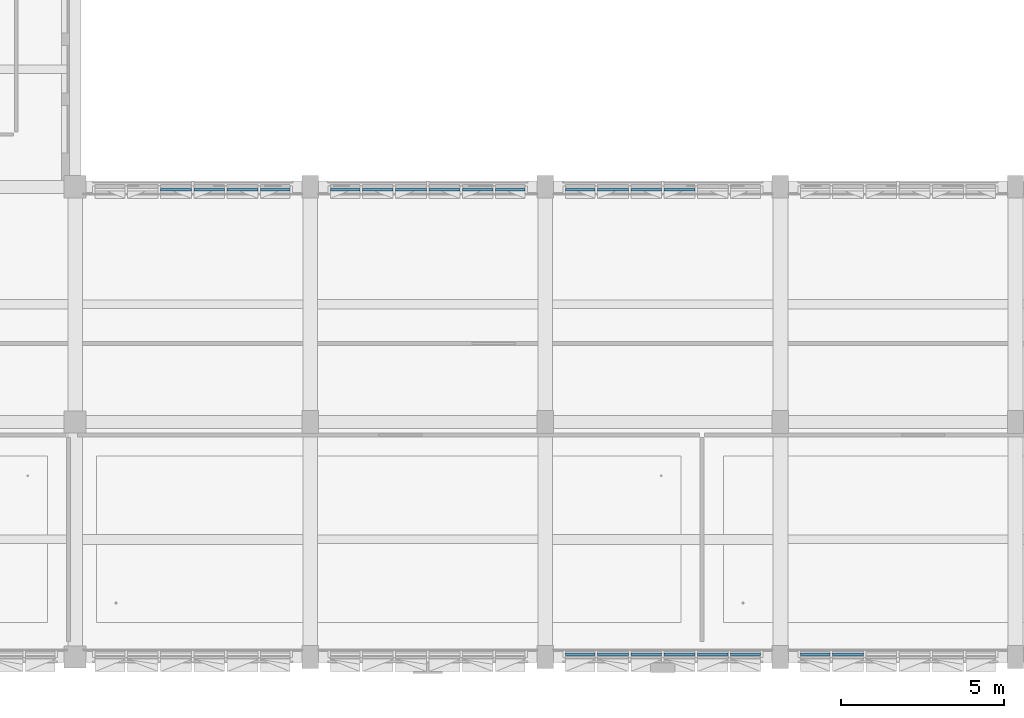
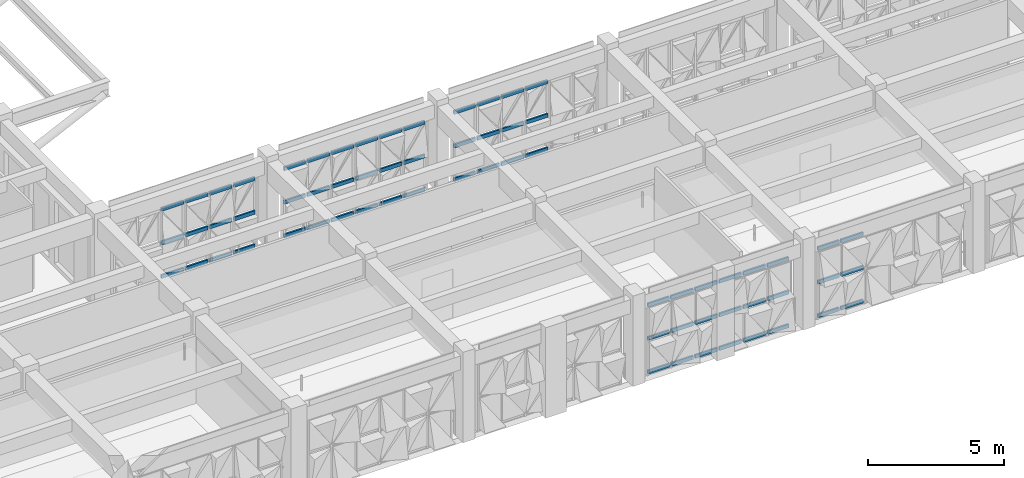
# One storey, part 21 of 88: 66 members, 5 elements without a shape of their own.
"""IFC4 building model written with IfcOpenShell, lengths in metres."""

import ifcopenshell
import ifcopenshell.guid

model = None  # the IFC model being written
_history = None  # IfcOwnerHistory: only IFC2X3 demands one
_inside = {}  # id of a spatial element -> (the spatial element, [elements in it])
_under = {}  # id of a project, library or spatial element -> (it, [spatial elements below it])
_declared = {}  # id of a project -> (the project, [libraries it declares])
_typed = {}  # id of a type object -> (the type object, [elements of that type])
_made_of = {}  # id of a material, layer set ... -> (it, [elements and type objects made of it])


def new_model(schema):
    """Start an empty IFC model of exactly this schema.

    Asked for "IFC4X3", IfcOpenShell would pick the latest addendum, in which some entities
    have other attributes; the version numbers below select the first issue.
    IFC2X3 requires an IfcOwnerHistory on every rooted entity: one is made here for all.
    """
    global model, _history
    if schema == "IFC4X3":
        model = ifcopenshell.file(schema_version=(4, 3, 0, 0))
    else:
        model = ifcopenshell.file(schema=schema)
    _inside.clear()
    _under.clear()
    _declared.clear()
    _typed.clear()
    _made_of.clear()
    _history = None
    if model.schema == "IFC2X3":
        org = make("IfcOrganization", Name="unknown")
        user = make(
            "IfcPersonAndOrganization",
            ThePerson=make("IfcPerson", FamilyName="unknown"),
            TheOrganization=org,
        )
        app = make(
            "IfcApplication",
            ApplicationDeveloper=org,
            Version="unknown",
            ApplicationFullName="unknown",
            ApplicationIdentifier="unknown",
        )
        _history = make(
            "IfcOwnerHistory",
            OwningUser=user,
            OwningApplication=app,
            ChangeAction="ADDED",
            CreationDate=0,
        )
    return model


def make(cls, **values):
    """One entity of the class cls with the attributes given. An attribute that is None is left unset."""
    return model.create_entity(
        cls, **{name: value for name, value in values.items() if value is not None}
    )


def rooted(cls, **values):
    """An entity with a GlobalId (a new one), such as an element, a storey or a relation."""
    return make(cls, GlobalId=ifcopenshell.guid.new(), OwnerHistory=_history, **values)


def si_unit(unit_type, name, prefix=None):
    """IfcSIUnit, for example si_unit("LENGTHUNIT", "METRE", prefix="MILLI")."""
    return make("IfcSIUnit", UnitType=unit_type, Prefix=prefix, Name=name)


def assignment(units):
    """IfcUnitAssignment: the units of a project."""
    return None if units is None else make("IfcUnitAssignment", Units=units)


def point(xyz):
    """IfcCartesianPoint."""
    return None if xyz is None else make("IfcCartesianPoint", Coordinates=xyz)


def direction(xyz):
    """IfcDirection."""
    return None if xyz is None else make("IfcDirection", DirectionRatios=xyz)


def frame(location, z_axis=None, x_axis=None):
    """IfcAxis2Placement3D, a coordinate frame: its origin and axes. An axis left out is left unset."""
    return make(
        "IfcAxis2Placement3D",
        Location=point(location),
        Axis=direction(z_axis),
        RefDirection=direction(x_axis),
    )


def frame_2d(location, x_axis=None):
    """IfcAxis2Placement2D, a coordinate frame in the plane: its origin and x axis."""
    return make(
        "IfcAxis2Placement2D", Location=point(location), RefDirection=direction(x_axis)
    )


def origin():
    """The frame at (0, 0, 0) with its axes left unset."""
    return frame((0.0, 0.0, 0.0))


def origin_2d():
    """The frame at (0, 0) in the plane with its x axis left unset."""
    return frame_2d((0.0, 0.0))


def place(relative_to, where):
    """IfcLocalPlacement: puts the frame where relative to a parent placement (None: the world)."""
    return make(
        "IfcLocalPlacement", PlacementRelTo=relative_to, RelativePlacement=where
    )


def context(
    kind, dimensions, precision=None, world=None, true_north=None, identifier=None
):
    """IfcGeometricRepresentationContext, for example the 3D "Model" context."""
    return make(
        "IfcGeometricRepresentationContext",
        ContextIdentifier=identifier,
        ContextType=kind,
        CoordinateSpaceDimension=dimensions,
        Precision=precision,
        WorldCoordinateSystem=world,
        TrueNorth=true_north,
    )


def subcontext(parent, identifier, kind, view, scale=None):
    """IfcGeometricRepresentationSubContext, for example "Body" below "Model"."""
    return make(
        "IfcGeometricRepresentationSubContext",
        ContextIdentifier=identifier,
        ContextType=kind,
        ParentContext=parent,
        TargetScale=scale,
        TargetView=view,
    )


def project(units=None, contexts=None):
    """IfcProject with its units and contexts."""
    return rooted(
        "IfcProject",
        Name="project",
        RepresentationContexts=contexts,
        UnitsInContext=assignment(units),
    )


def spatial(cls, under=None, at=None, **own):
    """A site, building, storey or space (cls), placed at a placement, below another one or the project."""
    s = rooted(cls, ObjectPlacement=at, **own)
    if under is not None:
        _under.setdefault(under.id(), (under, []))[1].append(s)
    return s


def profile(cls, at=None, kind="AREA", **sizes):
    """A parametric profile (cls). Its sizes go by their IFC names, for example OverallWidth=200.0."""
    return make(cls, ProfileType=kind, Position=at, **sizes)


def rectangle(**sizes):
    """IfcRectangleProfileDef."""
    return profile("IfcRectangleProfileDef", **sizes)


def extrude(swept, where, along, depth):
    """IfcExtrudedAreaSolid: the profile swept, set in the frame where, extruded along a direction by depth."""
    return make(
        "IfcExtrudedAreaSolid",
        SweptArea=swept,
        Position=where,
        ExtrudedDirection=direction(along),
        Depth=depth,
    )


def shape(context_of_items, identifier, shape_type, items):
    """IfcShapeRepresentation: the items that make up one representation, for example the "Body"."""
    return make(
        "IfcShapeRepresentation",
        ContextOfItems=context_of_items,
        RepresentationIdentifier=identifier,
        RepresentationType=shape_type,
        Items=items,
    )


def material(Name=None, Category=None):
    """IfcMaterial."""
    return make("IfcMaterial", Name=Name, Category=Category)


def material_profile(
    of_material, cross_section, Name=None, Category=None, Priority=None
):
    """IfcMaterialProfile: a cross section and its material."""
    return make(
        "IfcMaterialProfile",
        Name=Name,
        Material=of_material,
        Profile=cross_section,
        Priority=Priority,
        Category=Category,
    )


def profile_set(profiles, Name=None, composite=None):
    """IfcMaterialProfileSet."""
    return make(
        "IfcMaterialProfileSet",
        Name=Name,
        MaterialProfiles=profiles,
        CompositeProfile=composite,
    )


def made_of(thing, what):
    """Note that an element or type object is made of a material, layer set ...; save() writes the relation."""
    if what is not None:
        _made_of.setdefault(what.id(), (what, []))[1].append(thing)
    return thing


def type_object(cls, material=None, **own):
    """A type object (cls), such as IfcWallType, which elements share."""
    return made_of(rooted(cls, **own), material)


def element(
    cls,
    number,
    at=None,
    inside=None,
    cuts=None,
    type_object=None,
    material=None,
    context=None,
    identifier="Body",
    shape_type=None,
    held_by="IfcProductDefinitionShape",
    body=None,
    shapes=None,
    **own,
):
    """One element of the class cls, such as IfcWall. Its Tag is "e" and its number.

    at: its placement. inside: the storey or other place that contains it. cuts: it is an
    opening in that element (IfcRelVoidsElement). A single representation is given by context,
    identifier, shape_type and body (its items); several are given by shapes. held_by: the class
    of the entity that holds the representations. save() writes the other relations.
    """
    e = rooted(cls, Tag="e%d" % number, ObjectPlacement=at, **own)
    if body is not None:
        shapes = [shape(context, identifier, shape_type, body)]
    if shapes is not None:
        e.Representation = make(held_by, Representations=shapes)
    if inside is not None:
        _inside.setdefault(inside.id(), (inside, []))[1].append(e)
    if cuts is not None:
        rooted(
            "IfcRelVoidsElement", RelatingBuildingElement=cuts, RelatedOpeningElement=e
        )
    if type_object is not None:
        _typed.setdefault(type_object.id(), (type_object, []))[1].append(e)
    return made_of(e, material)


def aggregate(whole, parts):
    """IfcRelAggregates: a whole, such as a stair, and the parts it consists of."""
    return rooted("IfcRelAggregates", RelatingObject=whole, RelatedObjects=parts)


def save(model, path):
    """Write the relations noted so far, then the file.

    IfcRelAggregates (storeys below a building ...), IfcRelContainedInSpatialStructure (elements
    in a storey), IfcRelDefinesByType, IfcRelAssociatesMaterial and IfcRelDeclares: one each for
    every whole, place, type object, material and project.
    """
    for whole, parts in _under.values():
        aggregate(whole, parts)
    for where, things in _inside.values():
        rooted(
            "IfcRelContainedInSpatialStructure",
            RelatedElements=things,
            RelatingStructure=where,
        )
    for kind, things in _typed.values():
        rooted("IfcRelDefinesByType", RelatedObjects=things, RelatingType=kind)
    for what, things in _made_of.values():
        rooted("IfcRelAssociatesMaterial", RelatedObjects=things, RelatingMaterial=what)
    for by, libraries in _declared.values():
        rooted("IfcRelDeclares", RelatingContext=by, RelatedDefinitions=libraries)
    model.write(path)


model = new_model("IFC4")

# Units and contexts
model_context = context("Model", 3, precision=1e-05, world=origin(), true_north=direction((0.0, 1.0)))
body_context = subcontext(model_context, "Body", "Model", "MODEL_VIEW")
ifc_project = project(units=[si_unit("LENGTHUNIT", "METRE"), si_unit("AREAUNIT", "SQUARE_METRE"), si_unit("VOLUMEUNIT", "CUBIC_METRE"), si_unit("PLANEANGLEUNIT", "RADIAN"), si_unit("MASSUNIT", "GRAM", prefix="KILO")], contexts=[model_context])

# Site, building, storey
site_placement = place(None, origin())
site = spatial("IfcSite", under=ifc_project, at=site_placement, CompositionType="ELEMENT")
building_placement = place(site_placement, origin())
building = spatial("IfcBuilding", under=site, at=building_placement, Name="Alvorim Cloister Faculty of Sciences", CompositionType="ELEMENT")
storey_placement = place(building_placement, frame((0.0, 0.0, 4.5)))
storey = spatial("IfcBuildingStorey", under=building, at=storey_placement, Name="L01", CompositionType="ELEMENT", Elevation=4.5)

# Curtain wall, members
ifc_material_1 = material(Name="Aluminium and Low-E Glass Curtain Wall", Category="aluminium")
curtain_wall_type = type_object("IfcCurtainWallType", Name="CW-TRI-6120x3170", PredefinedType="USERDEFINED", material=ifc_material_1)
curtain_wall_1_placement = place(storey_placement, origin())
curtain_wall_1 = element("IfcCurtainWall", 1, at=curtain_wall_1_placement, inside=storey, type_object=curtain_wall_type, Name="L01 Diagonal Cassette Curtain Wall CW-0027", ObjectType="UNITISED CURTAIN WALL", PredefinedType="USERDEFINED")
ifc_material_2 = material(Name="Aluminium Alloy 6063-T6", Category="aluminium")
ifc_material_profile = material_profile(ifc_material_2, rectangle(XDim=0.074951171875, YDim=0.159912109375, at=origin_2d()), Name="ALU-TRN-75x160")
ifc_profile_set = profile_set([ifc_material_profile], Name="Aluminium Alloy 6063-T6")
member_type = type_object("IfcMemberType", Name="CW-TRN-75x160", PredefinedType="USERDEFINED", material=ifc_profile_set)
member_1_placement = place(storey_placement, frame((31.41748046875, 14.31005859375, 0.080078125), z_axis=(1.0, 0.0, 0.0), x_axis=(0.0, 1.0, 0.0)))
member_1 = element("IfcMember", 2, at=member_1_placement, type_object=member_type, Name="CW-0027 Transom 3.1", ObjectType="TRANSOM", PredefinedType="USERDEFINED", context=body_context, shape_type="SweptSolid", body=[
    extrude(rectangle(XDim=0.074951171875, YDim=0.159912109375, at=origin_2d()), origin(), (0.0, 0.0, 1.0), 0.945068359375),
])
member_2_placement = place(storey_placement, frame((31.41748046875, 14.31005859375, 1.5849609375), z_axis=(1.0, 0.0, 0.0), x_axis=(0.0, 1.0, 0.0)))
member_2 = element("IfcMember", 3, at=member_2_placement, type_object=member_type, Name="CW-0027 Transom 3.2", ObjectType="TRANSOM", PredefinedType="USERDEFINED", context=body_context, shape_type="SweptSolid", body=[
    extrude(rectangle(XDim=0.074951171875, YDim=0.159912109375, at=origin_2d()), origin(), (0.0, 0.0, 1.0), 0.945068359375),
])
member_3_placement = place(storey_placement, frame((31.41748046875, 14.31005859375, 3.090087890625), z_axis=(1.0, 0.0, 0.0), x_axis=(0.0, 1.0, 0.0)))
member_3 = element("IfcMember", 4, at=member_3_placement, type_object=member_type, Name="CW-0027 Transom 3.3", ObjectType="TRANSOM", PredefinedType="USERDEFINED", context=body_context, shape_type="SweptSolid", body=[
    extrude(rectangle(XDim=0.074951171875, YDim=0.159912109375, at=origin_2d()), origin(), (0.0, 0.0, 1.0), 0.945068359375),
])
member_4_placement = place(storey_placement, frame((32.4375, 14.31005859375, 0.080078125), z_axis=(1.0, 0.0, 0.0), x_axis=(0.0, 1.0, 0.0)))
member_4 = element("IfcMember", 5, at=member_4_placement, type_object=member_type, Name="CW-0027 Transom 4.1", ObjectType="TRANSOM", PredefinedType="USERDEFINED", context=body_context, shape_type="SweptSolid", body=[
    extrude(rectangle(XDim=0.074951171875, YDim=0.159912109375, at=origin_2d()), origin(), (0.0, 0.0, 1.0), 0.945068359375),
])
member_5_placement = place(storey_placement, frame((32.4375, 14.31005859375, 1.5849609375), z_axis=(1.0, 0.0, 0.0), x_axis=(0.0, 1.0, 0.0)))
member_5 = element("IfcMember", 6, at=member_5_placement, type_object=member_type, Name="CW-0027 Transom 4.2", ObjectType="TRANSOM", PredefinedType="USERDEFINED", context=body_context, shape_type="SweptSolid", body=[
    extrude(rectangle(XDim=0.074951171875, YDim=0.159912109375, at=origin_2d()), origin(), (0.0, 0.0, 1.0), 0.945068359375),
])
member_6_placement = place(storey_placement, frame((32.4375, 14.31005859375, 3.090087890625), z_axis=(1.0, 0.0, 0.0), x_axis=(0.0, 1.0, 0.0)))
member_6 = element("IfcMember", 7, at=member_6_placement, type_object=member_type, Name="CW-0027 Transom 4.3", ObjectType="TRANSOM", PredefinedType="USERDEFINED", context=body_context, shape_type="SweptSolid", body=[
    extrude(rectangle(XDim=0.074951171875, YDim=0.159912109375, at=origin_2d()), origin(), (0.0, 0.0, 1.0), 0.945068359375),
])
member_7_placement = place(storey_placement, frame((33.45751953125, 14.31005859375, 0.080078125), z_axis=(1.0, 0.0, 0.0), x_axis=(0.0, 1.0, 0.0)))
member_7 = element("IfcMember", 8, at=member_7_placement, type_object=member_type, Name="CW-0027 Transom 5.1", ObjectType="TRANSOM", PredefinedType="USERDEFINED", context=body_context, shape_type="SweptSolid", body=[
    extrude(rectangle(XDim=0.074951171875, YDim=0.159912109375, at=origin_2d()), origin(), (0.0, 0.0, 1.0), 0.945068359375),
])
member_8_placement = place(storey_placement, frame((33.45751953125, 14.31005859375, 1.5849609375), z_axis=(1.0, 0.0, 0.0), x_axis=(0.0, 1.0, 0.0)))
member_8 = element("IfcMember", 9, at=member_8_placement, type_object=member_type, Name="CW-0027 Transom 5.2", ObjectType="TRANSOM", PredefinedType="USERDEFINED", context=body_context, shape_type="SweptSolid", body=[
    extrude(rectangle(XDim=0.074951171875, YDim=0.159912109375, at=origin_2d()), origin(), (0.0, 0.0, 1.0), 0.945068359375),
])
member_9_placement = place(storey_placement, frame((33.45751953125, 14.31005859375, 3.090087890625), z_axis=(1.0, 0.0, 0.0), x_axis=(0.0, 1.0, 0.0)))
member_9 = element("IfcMember", 10, at=member_9_placement, type_object=member_type, Name="CW-0027 Transom 5.3", ObjectType="TRANSOM", PredefinedType="USERDEFINED", context=body_context, shape_type="SweptSolid", body=[
    extrude(rectangle(XDim=0.074951171875, YDim=0.159912109375, at=origin_2d()), origin(), (0.0, 0.0, 1.0), 0.945068359375),
])
member_10_placement = place(storey_placement, frame((34.4775390625, 14.31005859375, 0.080078125), z_axis=(1.0, 0.0, 0.0), x_axis=(0.0, 1.0, 0.0)))
member_10 = element("IfcMember", 11, at=member_10_placement, type_object=member_type, Name="CW-0027 Transom 6.1", ObjectType="TRANSOM", PredefinedType="USERDEFINED", context=body_context, shape_type="SweptSolid", body=[
    extrude(rectangle(XDim=0.074951171875, YDim=0.159912109375, at=origin_2d()), origin(), (0.0, 0.0, 1.0), 0.907470703125),
])
member_11_placement = place(storey_placement, frame((34.4775390625, 14.31005859375, 1.5849609375), z_axis=(1.0, 0.0, 0.0), x_axis=(0.0, 1.0, 0.0)))
member_11 = element("IfcMember", 12, at=member_11_placement, type_object=member_type, Name="CW-0027 Transom 6.2", ObjectType="TRANSOM", PredefinedType="USERDEFINED", context=body_context, shape_type="SweptSolid", body=[
    extrude(rectangle(XDim=0.074951171875, YDim=0.159912109375, at=origin_2d()), origin(), (0.0, 0.0, 1.0), 0.907470703125),
])
member_12_placement = place(storey_placement, frame((34.4775390625, 14.31005859375, 3.090087890625), z_axis=(1.0, 0.0, 0.0), x_axis=(0.0, 1.0, 0.0)))
member_12 = element("IfcMember", 13, at=member_12_placement, type_object=member_type, Name="CW-0027 Transom 6.3", ObjectType="TRANSOM", PredefinedType="USERDEFINED", context=body_context, shape_type="SweptSolid", body=[
    extrude(rectangle(XDim=0.074951171875, YDim=0.159912109375, at=origin_2d()), origin(), (0.0, 0.0, 1.0), 0.907470703125),
])
aggregate(curtain_wall_1, [member_1, member_2, member_3, member_4, member_5, member_6, member_7, member_8, member_9, member_10, member_11, member_12])

curtain_wall_2_placement = place(storey_placement, origin())
curtain_wall_2 = element("IfcCurtainWall", 14, at=curtain_wall_2_placement, inside=storey, type_object=curtain_wall_type, Name="L01 Diagonal Cassette Curtain Wall CW-0028", ObjectType="UNITISED CURTAIN WALL", PredefinedType="USERDEFINED")
member_13_placement = place(storey_placement, frame((36.614990234375, 14.31005859375, 0.080078125), z_axis=(1.0, 0.0, 0.0), x_axis=(0.0, 1.0, 0.0)))
member_13 = element("IfcMember", 15, at=member_13_placement, type_object=member_type, Name="CW-0028 Transom 1.1", ObjectType="TRANSOM", PredefinedType="USERDEFINED", context=body_context, shape_type="SweptSolid", body=[
    extrude(rectangle(XDim=0.074951171875, YDim=0.159912109375, at=origin_2d()), origin(), (0.0, 0.0, 1.0), 0.907470703125),
])
member_14_placement = place(storey_placement, frame((36.614990234375, 14.31005859375, 1.5849609375), z_axis=(1.0, 0.0, 0.0), x_axis=(0.0, 1.0, 0.0)))
member_14 = element("IfcMember", 16, at=member_14_placement, type_object=member_type, Name="CW-0028 Transom 1.2", ObjectType="TRANSOM", PredefinedType="USERDEFINED", context=body_context, shape_type="SweptSolid", body=[
    extrude(rectangle(XDim=0.074951171875, YDim=0.159912109375, at=origin_2d()), origin(), (0.0, 0.0, 1.0), 0.907470703125),
])
member_15_placement = place(storey_placement, frame((36.614990234375, 14.31005859375, 3.090087890625), z_axis=(1.0, 0.0, 0.0), x_axis=(0.0, 1.0, 0.0)))
member_15 = element("IfcMember", 17, at=member_15_placement, type_object=member_type, Name="CW-0028 Transom 1.3", ObjectType="TRANSOM", PredefinedType="USERDEFINED", context=body_context, shape_type="SweptSolid", body=[
    extrude(rectangle(XDim=0.074951171875, YDim=0.159912109375, at=origin_2d()), origin(), (0.0, 0.0, 1.0), 0.907470703125),
])
member_16_placement = place(storey_placement, frame((37.597412109375, 14.31005859375, 0.080078125), z_axis=(1.0, 0.0, 0.0), x_axis=(0.0, 1.0, 0.0)))
member_16 = element("IfcMember", 18, at=member_16_placement, type_object=member_type, Name="CW-0028 Transom 2.1", ObjectType="TRANSOM", PredefinedType="USERDEFINED", context=body_context, shape_type="SweptSolid", body=[
    extrude(rectangle(XDim=0.074951171875, YDim=0.159912109375, at=origin_2d()), origin(), (0.0, 0.0, 1.0), 0.945068359375),
])
member_17_placement = place(storey_placement, frame((37.597412109375, 14.31005859375, 1.5849609375), z_axis=(1.0, 0.0, 0.0), x_axis=(0.0, 1.0, 0.0)))
member_17 = element("IfcMember", 19, at=member_17_placement, type_object=member_type, Name="CW-0028 Transom 2.2", ObjectType="TRANSOM", PredefinedType="USERDEFINED", context=body_context, shape_type="SweptSolid", body=[
    extrude(rectangle(XDim=0.074951171875, YDim=0.159912109375, at=origin_2d()), origin(), (0.0, 0.0, 1.0), 0.945068359375),
])
member_18_placement = place(storey_placement, frame((37.597412109375, 14.31005859375, 3.090087890625), z_axis=(1.0, 0.0, 0.0), x_axis=(0.0, 1.0, 0.0)))
member_18 = element("IfcMember", 20, at=member_18_placement, type_object=member_type, Name="CW-0028 Transom 2.3", ObjectType="TRANSOM", PredefinedType="USERDEFINED", context=body_context, shape_type="SweptSolid", body=[
    extrude(rectangle(XDim=0.074951171875, YDim=0.159912109375, at=origin_2d()), origin(), (0.0, 0.0, 1.0), 0.945068359375),
])
member_19_placement = place(storey_placement, frame((38.617431640625, 14.31005859375, 0.080078125), z_axis=(1.0, 0.0, 0.0), x_axis=(0.0, 1.0, 0.0)))
member_19 = element("IfcMember", 21, at=member_19_placement, type_object=member_type, Name="CW-0028 Transom 3.1", ObjectType="TRANSOM", PredefinedType="USERDEFINED", context=body_context, shape_type="SweptSolid", body=[
    extrude(rectangle(XDim=0.074951171875, YDim=0.159912109375, at=origin_2d()), origin(), (0.0, 0.0, 1.0), 0.945068359375),
])
member_20_placement = place(storey_placement, frame((38.617431640625, 14.31005859375, 1.5849609375), z_axis=(1.0, 0.0, 0.0), x_axis=(0.0, 1.0, 0.0)))
member_20 = element("IfcMember", 22, at=member_20_placement, type_object=member_type, Name="CW-0028 Transom 3.2", ObjectType="TRANSOM", PredefinedType="USERDEFINED", context=body_context, shape_type="SweptSolid", body=[
    extrude(rectangle(XDim=0.074951171875, YDim=0.159912109375, at=origin_2d()), origin(), (0.0, 0.0, 1.0), 0.945068359375),
])
member_21_placement = place(storey_placement, frame((38.617431640625, 14.31005859375, 3.090087890625), z_axis=(1.0, 0.0, 0.0), x_axis=(0.0, 1.0, 0.0)))
member_21 = element("IfcMember", 23, at=member_21_placement, type_object=member_type, Name="CW-0028 Transom 3.3", ObjectType="TRANSOM", PredefinedType="USERDEFINED", context=body_context, shape_type="SweptSolid", body=[
    extrude(rectangle(XDim=0.074951171875, YDim=0.159912109375, at=origin_2d()), origin(), (0.0, 0.0, 1.0), 0.945068359375),
])
member_22_placement = place(storey_placement, frame((39.637451171875, 14.31005859375, 0.080078125), z_axis=(1.0, 0.0, 0.0), x_axis=(0.0, 1.0, 0.0)))
member_22 = element("IfcMember", 24, at=member_22_placement, type_object=member_type, Name="CW-0028 Transom 4.1", ObjectType="TRANSOM", PredefinedType="USERDEFINED", context=body_context, shape_type="SweptSolid", body=[
    extrude(rectangle(XDim=0.074951171875, YDim=0.159912109375, at=origin_2d()), origin(), (0.0, 0.0, 1.0), 0.945068359375),
])
member_23_placement = place(storey_placement, frame((39.637451171875, 14.31005859375, 1.5849609375), z_axis=(1.0, 0.0, 0.0), x_axis=(0.0, 1.0, 0.0)))
member_23 = element("IfcMember", 25, at=member_23_placement, type_object=member_type, Name="CW-0028 Transom 4.2", ObjectType="TRANSOM", PredefinedType="USERDEFINED", context=body_context, shape_type="SweptSolid", body=[
    extrude(rectangle(XDim=0.074951171875, YDim=0.159912109375, at=origin_2d()), origin(), (0.0, 0.0, 1.0), 0.945068359375),
])
member_24_placement = place(storey_placement, frame((39.637451171875, 14.31005859375, 3.090087890625), z_axis=(1.0, 0.0, 0.0), x_axis=(0.0, 1.0, 0.0)))
member_24 = element("IfcMember", 26, at=member_24_placement, type_object=member_type, Name="CW-0028 Transom 4.3", ObjectType="TRANSOM", PredefinedType="USERDEFINED", context=body_context, shape_type="SweptSolid", body=[
    extrude(rectangle(XDim=0.074951171875, YDim=0.159912109375, at=origin_2d()), origin(), (0.0, 0.0, 1.0), 0.945068359375),
])
member_25_placement = place(storey_placement, frame((40.657470703125, 14.31005859375, 0.080078125), z_axis=(1.0, 0.0, 0.0), x_axis=(0.0, 1.0, 0.0)))
member_25 = element("IfcMember", 27, at=member_25_placement, type_object=member_type, Name="CW-0028 Transom 5.1", ObjectType="TRANSOM", PredefinedType="USERDEFINED", context=body_context, shape_type="SweptSolid", body=[
    extrude(rectangle(XDim=0.074951171875, YDim=0.159912109375, at=origin_2d()), origin(), (0.0, 0.0, 1.0), 0.945068359375),
])
member_26_placement = place(storey_placement, frame((40.657470703125, 14.31005859375, 1.5849609375), z_axis=(1.0, 0.0, 0.0), x_axis=(0.0, 1.0, 0.0)))
member_26 = element("IfcMember", 28, at=member_26_placement, type_object=member_type, Name="CW-0028 Transom 5.2", ObjectType="TRANSOM", PredefinedType="USERDEFINED", context=body_context, shape_type="SweptSolid", body=[
    extrude(rectangle(XDim=0.074951171875, YDim=0.159912109375, at=origin_2d()), origin(), (0.0, 0.0, 1.0), 0.945068359375),
])
member_27_placement = place(storey_placement, frame((40.657470703125, 14.31005859375, 3.090087890625), z_axis=(1.0, 0.0, 0.0), x_axis=(0.0, 1.0, 0.0)))
member_27 = element("IfcMember", 29, at=member_27_placement, type_object=member_type, Name="CW-0028 Transom 5.3", ObjectType="TRANSOM", PredefinedType="USERDEFINED", context=body_context, shape_type="SweptSolid", body=[
    extrude(rectangle(XDim=0.074951171875, YDim=0.159912109375, at=origin_2d()), origin(), (0.0, 0.0, 1.0), 0.945068359375),
])
member_28_placement = place(storey_placement, frame((41.677490234375, 14.31005859375, 0.080078125), z_axis=(1.0, 0.0, 0.0), x_axis=(0.0, 1.0, 0.0)))
member_28 = element("IfcMember", 30, at=member_28_placement, type_object=member_type, Name="CW-0028 Transom 6.1", ObjectType="TRANSOM", PredefinedType="USERDEFINED", context=body_context, shape_type="SweptSolid", body=[
    extrude(rectangle(XDim=0.074951171875, YDim=0.159912109375, at=origin_2d()), origin(), (0.0, 0.0, 1.0), 0.907470703125),
])
member_29_placement = place(storey_placement, frame((41.677490234375, 14.31005859375, 1.5849609375), z_axis=(1.0, 0.0, 0.0), x_axis=(0.0, 1.0, 0.0)))
member_29 = element("IfcMember", 31, at=member_29_placement, type_object=member_type, Name="CW-0028 Transom 6.2", ObjectType="TRANSOM", PredefinedType="USERDEFINED", context=body_context, shape_type="SweptSolid", body=[
    extrude(rectangle(XDim=0.074951171875, YDim=0.159912109375, at=origin_2d()), origin(), (0.0, 0.0, 1.0), 0.907470703125),
])
member_30_placement = place(storey_placement, frame((41.677490234375, 14.31005859375, 3.090087890625), z_axis=(1.0, 0.0, 0.0), x_axis=(0.0, 1.0, 0.0)))
member_30 = element("IfcMember", 32, at=member_30_placement, type_object=member_type, Name="CW-0028 Transom 6.3", ObjectType="TRANSOM", PredefinedType="USERDEFINED", context=body_context, shape_type="SweptSolid", body=[
    extrude(rectangle(XDim=0.074951171875, YDim=0.159912109375, at=origin_2d()), origin(), (0.0, 0.0, 1.0), 0.907470703125),
])
aggregate(curtain_wall_2, [member_13, member_14, member_15, member_16, member_17, member_18, member_19, member_20, member_21, member_22, member_23, member_24, member_25, member_26, member_27, member_28, member_29, member_30])

curtain_wall_3_placement = place(storey_placement, origin())
curtain_wall_3 = element("IfcCurtainWall", 33, at=curtain_wall_3_placement, inside=storey, type_object=curtain_wall_type, Name="L01 Diagonal Cassette Curtain Wall CW-0029", ObjectType="UNITISED CURTAIN WALL", PredefinedType="USERDEFINED")
member_31_placement = place(storey_placement, frame((43.81494140625, 14.31005859375, 0.080078125), z_axis=(1.0, 0.0, 0.0), x_axis=(0.0, 1.0, 0.0)))
member_31 = element("IfcMember", 34, at=member_31_placement, type_object=member_type, Name="CW-0029 Transom 1.1", ObjectType="TRANSOM", PredefinedType="USERDEFINED", context=body_context, shape_type="SweptSolid", body=[
    extrude(rectangle(XDim=0.074951171875, YDim=0.159912109375, at=origin_2d()), origin(), (0.0, 0.0, 1.0), 0.907470703125),
])
member_32_placement = place(storey_placement, frame((43.81494140625, 14.31005859375, 1.5849609375), z_axis=(1.0, 0.0, 0.0), x_axis=(0.0, 1.0, 0.0)))
member_32 = element("IfcMember", 35, at=member_32_placement, type_object=member_type, Name="CW-0029 Transom 1.2", ObjectType="TRANSOM", PredefinedType="USERDEFINED", context=body_context, shape_type="SweptSolid", body=[
    extrude(rectangle(XDim=0.074951171875, YDim=0.159912109375, at=origin_2d()), origin(), (0.0, 0.0, 1.0), 0.907470703125),
])
member_33_placement = place(storey_placement, frame((43.81494140625, 14.31005859375, 3.090087890625), z_axis=(1.0, 0.0, 0.0), x_axis=(0.0, 1.0, 0.0)))
member_33 = element("IfcMember", 36, at=member_33_placement, type_object=member_type, Name="CW-0029 Transom 1.3", ObjectType="TRANSOM", PredefinedType="USERDEFINED", context=body_context, shape_type="SweptSolid", body=[
    extrude(rectangle(XDim=0.074951171875, YDim=0.159912109375, at=origin_2d()), origin(), (0.0, 0.0, 1.0), 0.907470703125),
])
member_34_placement = place(storey_placement, frame((44.797607421875, 14.31005859375, 0.080078125), z_axis=(1.0, 0.0, 0.0), x_axis=(0.0, 1.0, 0.0)))
member_34 = element("IfcMember", 37, at=member_34_placement, type_object=member_type, Name="CW-0029 Transom 2.1", ObjectType="TRANSOM", PredefinedType="USERDEFINED", context=body_context, shape_type="SweptSolid", body=[
    extrude(rectangle(XDim=0.074951171875, YDim=0.159912109375, at=origin_2d()), origin(), (0.0, 0.0, 1.0), 0.94482421875),
])
member_35_placement = place(storey_placement, frame((44.797607421875, 14.31005859375, 1.5849609375), z_axis=(1.0, 0.0, 0.0), x_axis=(0.0, 1.0, 0.0)))
member_35 = element("IfcMember", 38, at=member_35_placement, type_object=member_type, Name="CW-0029 Transom 2.2", ObjectType="TRANSOM", PredefinedType="USERDEFINED", context=body_context, shape_type="SweptSolid", body=[
    extrude(rectangle(XDim=0.074951171875, YDim=0.159912109375, at=origin_2d()), origin(), (0.0, 0.0, 1.0), 0.94482421875),
])
member_36_placement = place(storey_placement, frame((44.797607421875, 14.31005859375, 3.090087890625), z_axis=(1.0, 0.0, 0.0), x_axis=(0.0, 1.0, 0.0)))
member_36 = element("IfcMember", 39, at=member_36_placement, type_object=member_type, Name="CW-0029 Transom 2.3", ObjectType="TRANSOM", PredefinedType="USERDEFINED", context=body_context, shape_type="SweptSolid", body=[
    extrude(rectangle(XDim=0.074951171875, YDim=0.159912109375, at=origin_2d()), origin(), (0.0, 0.0, 1.0), 0.94482421875),
])
member_37_placement = place(storey_placement, frame((45.8173828125, 14.31005859375, 0.080078125), z_axis=(1.0, 0.0, 0.0), x_axis=(0.0, 1.0, 0.0)))
member_37 = element("IfcMember", 40, at=member_37_placement, type_object=member_type, Name="CW-0029 Transom 3.1", ObjectType="TRANSOM", PredefinedType="USERDEFINED", context=body_context, shape_type="SweptSolid", body=[
    extrude(rectangle(XDim=0.074951171875, YDim=0.159912109375, at=origin_2d()), origin(), (0.0, 0.0, 1.0), 0.945068359375),
])
member_38_placement = place(storey_placement, frame((45.8173828125, 14.31005859375, 1.5849609375), z_axis=(1.0, 0.0, 0.0), x_axis=(0.0, 1.0, 0.0)))
member_38 = element("IfcMember", 41, at=member_38_placement, type_object=member_type, Name="CW-0029 Transom 3.2", ObjectType="TRANSOM", PredefinedType="USERDEFINED", context=body_context, shape_type="SweptSolid", body=[
    extrude(rectangle(XDim=0.074951171875, YDim=0.159912109375, at=origin_2d()), origin(), (0.0, 0.0, 1.0), 0.945068359375),
])
member_39_placement = place(storey_placement, frame((45.8173828125, 14.31005859375, 3.090087890625), z_axis=(1.0, 0.0, 0.0), x_axis=(0.0, 1.0, 0.0)))
member_39 = element("IfcMember", 42, at=member_39_placement, type_object=member_type, Name="CW-0029 Transom 3.3", ObjectType="TRANSOM", PredefinedType="USERDEFINED", context=body_context, shape_type="SweptSolid", body=[
    extrude(rectangle(XDim=0.074951171875, YDim=0.159912109375, at=origin_2d()), origin(), (0.0, 0.0, 1.0), 0.945068359375),
])
member_40_placement = place(storey_placement, frame((46.83740234375, 14.31005859375, 0.080078125), z_axis=(1.0, 0.0, 0.0), x_axis=(0.0, 1.0, 0.0)))
member_40 = element("IfcMember", 43, at=member_40_placement, type_object=member_type, Name="CW-0029 Transom 4.1", ObjectType="TRANSOM", PredefinedType="USERDEFINED", context=body_context, shape_type="SweptSolid", body=[
    extrude(rectangle(XDim=0.074951171875, YDim=0.159912109375, at=origin_2d()), origin(), (0.0, 0.0, 1.0), 0.945068359375),
])
member_41_placement = place(storey_placement, frame((46.83740234375, 14.31005859375, 1.5849609375), z_axis=(1.0, 0.0, 0.0), x_axis=(0.0, 1.0, 0.0)))
member_41 = element("IfcMember", 44, at=member_41_placement, type_object=member_type, Name="CW-0029 Transom 4.2", ObjectType="TRANSOM", PredefinedType="USERDEFINED", context=body_context, shape_type="SweptSolid", body=[
    extrude(rectangle(XDim=0.074951171875, YDim=0.159912109375, at=origin_2d()), origin(), (0.0, 0.0, 1.0), 0.945068359375),
])
member_42_placement = place(storey_placement, frame((46.83740234375, 14.31005859375, 3.090087890625), z_axis=(1.0, 0.0, 0.0), x_axis=(0.0, 1.0, 0.0)))
member_42 = element("IfcMember", 45, at=member_42_placement, type_object=member_type, Name="CW-0029 Transom 4.3", ObjectType="TRANSOM", PredefinedType="USERDEFINED", context=body_context, shape_type="SweptSolid", body=[
    extrude(rectangle(XDim=0.074951171875, YDim=0.159912109375, at=origin_2d()), origin(), (0.0, 0.0, 1.0), 0.945068359375),
])
aggregate(curtain_wall_3, [member_31, member_32, member_33, member_34, member_35, member_36, member_37, member_38, member_39, member_40, member_41, member_42])

curtain_wall_4_placement = place(storey_placement, origin())
curtain_wall_4 = element("IfcCurtainWall", 46, at=curtain_wall_4_placement, inside=storey, type_object=curtain_wall_type, Name="L01 Diagonal Cassette Curtain Wall CW-0041", ObjectType="UNITISED CURTAIN WALL", PredefinedType="USERDEFINED")
member_43_placement = place(storey_placement, frame((51.014892578125, 0.090087890625, 0.080078125), z_axis=(1.0, 0.0, 0.0), x_axis=(0.0, 1.0, 0.0)))
member_43 = element("IfcMember", 47, at=member_43_placement, type_object=member_type, Name="CW-0041 Transom 1.1", ObjectType="TRANSOM", PredefinedType="USERDEFINED", context=body_context, shape_type="SweptSolid", body=[
    extrude(rectangle(XDim=0.074951171875, YDim=0.159912109375, at=origin_2d()), origin(), (0.0, 0.0, 1.0), 0.90771484375),
])
member_44_placement = place(storey_placement, frame((51.014892578125, 0.090087890625, 1.5849609375), z_axis=(1.0, 0.0, 0.0), x_axis=(0.0, 1.0, 0.0)))
member_44 = element("IfcMember", 48, at=member_44_placement, type_object=member_type, Name="CW-0041 Transom 1.2", ObjectType="TRANSOM", PredefinedType="USERDEFINED", context=body_context, shape_type="SweptSolid", body=[
    extrude(rectangle(XDim=0.074951171875, YDim=0.159912109375, at=origin_2d()), origin(), (0.0, 0.0, 1.0), 0.90771484375),
])
member_45_placement = place(storey_placement, frame((51.014892578125, 0.090087890625, 3.090087890625), z_axis=(1.0, 0.0, 0.0), x_axis=(0.0, 1.0, 0.0)))
member_45 = element("IfcMember", 49, at=member_45_placement, type_object=member_type, Name="CW-0041 Transom 1.3", ObjectType="TRANSOM", PredefinedType="USERDEFINED", context=body_context, shape_type="SweptSolid", body=[
    extrude(rectangle(XDim=0.074951171875, YDim=0.159912109375, at=origin_2d()), origin(), (0.0, 0.0, 1.0), 0.90771484375),
])
member_46_placement = place(storey_placement, frame((51.99755859375, 0.090087890625, 0.080078125), z_axis=(1.0, 0.0, 0.0), x_axis=(0.0, 1.0, 0.0)))
member_46 = element("IfcMember", 50, at=member_46_placement, type_object=member_type, Name="CW-0041 Transom 2.1", ObjectType="TRANSOM", PredefinedType="USERDEFINED", context=body_context, shape_type="SweptSolid", body=[
    extrude(rectangle(XDim=0.074951171875, YDim=0.159912109375, at=origin_2d()), origin(), (0.0, 0.0, 1.0), 0.94482421875),
])
member_47_placement = place(storey_placement, frame((51.99755859375, 0.090087890625, 1.5849609375), z_axis=(1.0, 0.0, 0.0), x_axis=(0.0, 1.0, 0.0)))
member_47 = element("IfcMember", 51, at=member_47_placement, type_object=member_type, Name="CW-0041 Transom 2.2", ObjectType="TRANSOM", PredefinedType="USERDEFINED", context=body_context, shape_type="SweptSolid", body=[
    extrude(rectangle(XDim=0.074951171875, YDim=0.159912109375, at=origin_2d()), origin(), (0.0, 0.0, 1.0), 0.94482421875),
])
member_48_placement = place(storey_placement, frame((51.99755859375, 0.090087890625, 3.090087890625), z_axis=(1.0, 0.0, 0.0), x_axis=(0.0, 1.0, 0.0)))
member_48 = element("IfcMember", 52, at=member_48_placement, type_object=member_type, Name="CW-0041 Transom 2.3", ObjectType="TRANSOM", PredefinedType="USERDEFINED", context=body_context, shape_type="SweptSolid", body=[
    extrude(rectangle(XDim=0.074951171875, YDim=0.159912109375, at=origin_2d()), origin(), (0.0, 0.0, 1.0), 0.94482421875),
])
aggregate(curtain_wall_4, [member_43, member_44, member_45, member_46, member_47, member_48])

curtain_wall_5_placement = place(storey_placement, origin())
curtain_wall_5 = element("IfcCurtainWall", 53, at=curtain_wall_5_placement, inside=storey, type_object=curtain_wall_type, Name="L01 Diagonal Cassette Curtain Wall CW-0042", ObjectType="UNITISED CURTAIN WALL", PredefinedType="USERDEFINED")
member_49_placement = place(storey_placement, frame((43.81494140625, 0.090087890625, 0.080078125), z_axis=(1.0, 0.0, 0.0), x_axis=(0.0, 1.0, 0.0)))
member_49 = element("IfcMember", 54, at=member_49_placement, type_object=member_type, Name="CW-0042 Transom 1.1", ObjectType="TRANSOM", PredefinedType="USERDEFINED", context=body_context, shape_type="SweptSolid", body=[
    extrude(rectangle(XDim=0.074951171875, YDim=0.159912109375, at=origin_2d()), origin(), (0.0, 0.0, 1.0), 0.907470703125),
])
member_50_placement = place(storey_placement, frame((43.81494140625, 0.090087890625, 1.5849609375), z_axis=(1.0, 0.0, 0.0), x_axis=(0.0, 1.0, 0.0)))
member_50 = element("IfcMember", 55, at=member_50_placement, type_object=member_type, Name="CW-0042 Transom 1.2", ObjectType="TRANSOM", PredefinedType="USERDEFINED", context=body_context, shape_type="SweptSolid", body=[
    extrude(rectangle(XDim=0.074951171875, YDim=0.159912109375, at=origin_2d()), origin(), (0.0, 0.0, 1.0), 0.907470703125),
])
member_51_placement = place(storey_placement, frame((43.81494140625, 0.090087890625, 3.090087890625), z_axis=(1.0, 0.0, 0.0), x_axis=(0.0, 1.0, 0.0)))
member_51 = element("IfcMember", 56, at=member_51_placement, type_object=member_type, Name="CW-0042 Transom 1.3", ObjectType="TRANSOM", PredefinedType="USERDEFINED", context=body_context, shape_type="SweptSolid", body=[
    extrude(rectangle(XDim=0.074951171875, YDim=0.159912109375, at=origin_2d()), origin(), (0.0, 0.0, 1.0), 0.907470703125),
])
member_52_placement = place(storey_placement, frame((44.797607421875, 0.090087890625, 0.080078125), z_axis=(1.0, 0.0, 0.0), x_axis=(0.0, 1.0, 0.0)))
member_52 = element("IfcMember", 57, at=member_52_placement, type_object=member_type, Name="CW-0042 Transom 2.1", ObjectType="TRANSOM", PredefinedType="USERDEFINED", context=body_context, shape_type="SweptSolid", body=[
    extrude(rectangle(XDim=0.074951171875, YDim=0.159912109375, at=origin_2d()), origin(), (0.0, 0.0, 1.0), 0.94482421875),
])
member_53_placement = place(storey_placement, frame((44.797607421875, 0.090087890625, 1.5849609375), z_axis=(1.0, 0.0, 0.0), x_axis=(0.0, 1.0, 0.0)))
member_53 = element("IfcMember", 58, at=member_53_placement, type_object=member_type, Name="CW-0042 Transom 2.2", ObjectType="TRANSOM", PredefinedType="USERDEFINED", context=body_context, shape_type="SweptSolid", body=[
    extrude(rectangle(XDim=0.074951171875, YDim=0.159912109375, at=origin_2d()), origin(), (0.0, 0.0, 1.0), 0.94482421875),
])
member_54_placement = place(storey_placement, frame((44.797607421875, 0.090087890625, 3.090087890625), z_axis=(1.0, 0.0, 0.0), x_axis=(0.0, 1.0, 0.0)))
member_54 = element("IfcMember", 59, at=member_54_placement, type_object=member_type, Name="CW-0042 Transom 2.3", ObjectType="TRANSOM", PredefinedType="USERDEFINED", context=body_context, shape_type="SweptSolid", body=[
    extrude(rectangle(XDim=0.074951171875, YDim=0.159912109375, at=origin_2d()), origin(), (0.0, 0.0, 1.0), 0.94482421875),
])
member_55_placement = place(storey_placement, frame((45.8173828125, 0.090087890625, 0.080078125), z_axis=(1.0, 0.0, 0.0), x_axis=(0.0, 1.0, 0.0)))
member_55 = element("IfcMember", 60, at=member_55_placement, type_object=member_type, Name="CW-0042 Transom 3.1", ObjectType="TRANSOM", PredefinedType="USERDEFINED", context=body_context, shape_type="SweptSolid", body=[
    extrude(rectangle(XDim=0.074951171875, YDim=0.159912109375, at=origin_2d()), origin(), (0.0, 0.0, 1.0), 0.945068359375),
])
member_56_placement = place(storey_placement, frame((45.8173828125, 0.090087890625, 1.5849609375), z_axis=(1.0, 0.0, 0.0), x_axis=(0.0, 1.0, 0.0)))
member_56 = element("IfcMember", 61, at=member_56_placement, type_object=member_type, Name="CW-0042 Transom 3.2", ObjectType="TRANSOM", PredefinedType="USERDEFINED", context=body_context, shape_type="SweptSolid", body=[
    extrude(rectangle(XDim=0.074951171875, YDim=0.159912109375, at=origin_2d()), origin(), (0.0, 0.0, 1.0), 0.945068359375),
])
member_57_placement = place(storey_placement, frame((45.8173828125, 0.090087890625, 3.090087890625), z_axis=(1.0, 0.0, 0.0), x_axis=(0.0, 1.0, 0.0)))
member_57 = element("IfcMember", 62, at=member_57_placement, type_object=member_type, Name="CW-0042 Transom 3.3", ObjectType="TRANSOM", PredefinedType="USERDEFINED", context=body_context, shape_type="SweptSolid", body=[
    extrude(rectangle(XDim=0.074951171875, YDim=0.159912109375, at=origin_2d()), origin(), (0.0, 0.0, 1.0), 0.945068359375),
])
member_58_placement = place(storey_placement, frame((46.83740234375, 0.090087890625, 0.080078125), z_axis=(1.0, 0.0, 0.0), x_axis=(0.0, 1.0, 0.0)))
member_58 = element("IfcMember", 63, at=member_58_placement, type_object=member_type, Name="CW-0042 Transom 4.1", ObjectType="TRANSOM", PredefinedType="USERDEFINED", context=body_context, shape_type="SweptSolid", body=[
    extrude(rectangle(XDim=0.074951171875, YDim=0.159912109375, at=origin_2d()), origin(), (0.0, 0.0, 1.0), 0.945068359375),
])
member_59_placement = place(storey_placement, frame((46.83740234375, 0.090087890625, 1.5849609375), z_axis=(1.0, 0.0, 0.0), x_axis=(0.0, 1.0, 0.0)))
member_59 = element("IfcMember", 64, at=member_59_placement, type_object=member_type, Name="CW-0042 Transom 4.2", ObjectType="TRANSOM", PredefinedType="USERDEFINED", context=body_context, shape_type="SweptSolid", body=[
    extrude(rectangle(XDim=0.074951171875, YDim=0.159912109375, at=origin_2d()), origin(), (0.0, 0.0, 1.0), 0.945068359375),
])
member_60_placement = place(storey_placement, frame((46.83740234375, 0.090087890625, 3.090087890625), z_axis=(1.0, 0.0, 0.0), x_axis=(0.0, 1.0, 0.0)))
member_60 = element("IfcMember", 65, at=member_60_placement, type_object=member_type, Name="CW-0042 Transom 4.3", ObjectType="TRANSOM", PredefinedType="USERDEFINED", context=body_context, shape_type="SweptSolid", body=[
    extrude(rectangle(XDim=0.074951171875, YDim=0.159912109375, at=origin_2d()), origin(), (0.0, 0.0, 1.0), 0.945068359375),
])
member_61_placement = place(storey_placement, frame((47.857421875, 0.090087890625, 0.080078125), z_axis=(1.0, 0.0, 0.0), x_axis=(0.0, 1.0, 0.0)))
member_61 = element("IfcMember", 66, at=member_61_placement, type_object=member_type, Name="CW-0042 Transom 5.1", ObjectType="TRANSOM", PredefinedType="USERDEFINED", context=body_context, shape_type="SweptSolid", body=[
    extrude(rectangle(XDim=0.074951171875, YDim=0.159912109375, at=origin_2d()), origin(), (0.0, 0.0, 1.0), 0.945068359375),
])
member_62_placement = place(storey_placement, frame((47.857421875, 0.090087890625, 1.5849609375), z_axis=(1.0, 0.0, 0.0), x_axis=(0.0, 1.0, 0.0)))
member_62 = element("IfcMember", 67, at=member_62_placement, type_object=member_type, Name="CW-0042 Transom 5.2", ObjectType="TRANSOM", PredefinedType="USERDEFINED", context=body_context, shape_type="SweptSolid", body=[
    extrude(rectangle(XDim=0.074951171875, YDim=0.159912109375, at=origin_2d()), origin(), (0.0, 0.0, 1.0), 0.945068359375),
])
member_63_placement = place(storey_placement, frame((47.857421875, 0.090087890625, 3.090087890625), z_axis=(1.0, 0.0, 0.0), x_axis=(0.0, 1.0, 0.0)))
member_63 = element("IfcMember", 68, at=member_63_placement, type_object=member_type, Name="CW-0042 Transom 5.3", ObjectType="TRANSOM", PredefinedType="USERDEFINED", context=body_context, shape_type="SweptSolid", body=[
    extrude(rectangle(XDim=0.074951171875, YDim=0.159912109375, at=origin_2d()), origin(), (0.0, 0.0, 1.0), 0.945068359375),
])
member_64_placement = place(storey_placement, frame((48.87744140625, 0.090087890625, 0.080078125), z_axis=(1.0, 0.0, 0.0), x_axis=(0.0, 1.0, 0.0)))
member_64 = element("IfcMember", 69, at=member_64_placement, type_object=member_type, Name="CW-0042 Transom 6.1", ObjectType="TRANSOM", PredefinedType="USERDEFINED", context=body_context, shape_type="SweptSolid", body=[
    extrude(rectangle(XDim=0.074951171875, YDim=0.159912109375, at=origin_2d()), origin(), (0.0, 0.0, 1.0), 0.907470703125),
])
member_65_placement = place(storey_placement, frame((48.87744140625, 0.090087890625, 1.5849609375), z_axis=(1.0, 0.0, 0.0), x_axis=(0.0, 1.0, 0.0)))
member_65 = element("IfcMember", 70, at=member_65_placement, type_object=member_type, Name="CW-0042 Transom 6.2", ObjectType="TRANSOM", PredefinedType="USERDEFINED", context=body_context, shape_type="SweptSolid", body=[
    extrude(rectangle(XDim=0.074951171875, YDim=0.159912109375, at=origin_2d()), origin(), (0.0, 0.0, 1.0), 0.907470703125),
])
member_66_placement = place(storey_placement, frame((48.87744140625, 0.090087890625, 3.090087890625), z_axis=(1.0, 0.0, 0.0), x_axis=(0.0, 1.0, 0.0)))
member_66 = element("IfcMember", 71, at=member_66_placement, type_object=member_type, Name="CW-0042 Transom 6.3", ObjectType="TRANSOM", PredefinedType="USERDEFINED", context=body_context, shape_type="SweptSolid", body=[
    extrude(rectangle(XDim=0.074951171875, YDim=0.159912109375, at=origin_2d()), origin(), (0.0, 0.0, 1.0), 0.907470703125),
])
aggregate(curtain_wall_5, [member_49, member_50, member_51, member_52, member_53, member_54, member_55, member_56, member_57, member_58, member_59, member_60, member_61, member_62, member_63, member_64, member_65, member_66])

save(model, "model.ifc")
